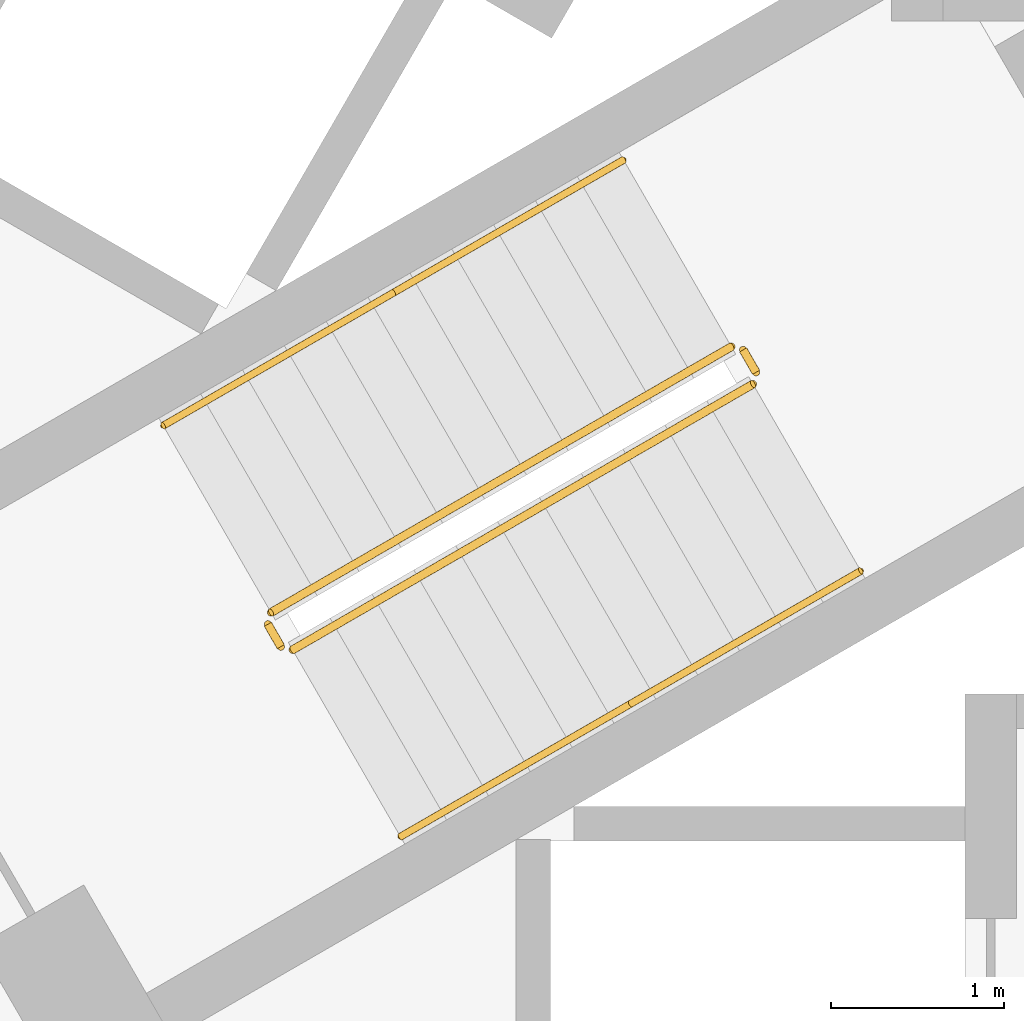
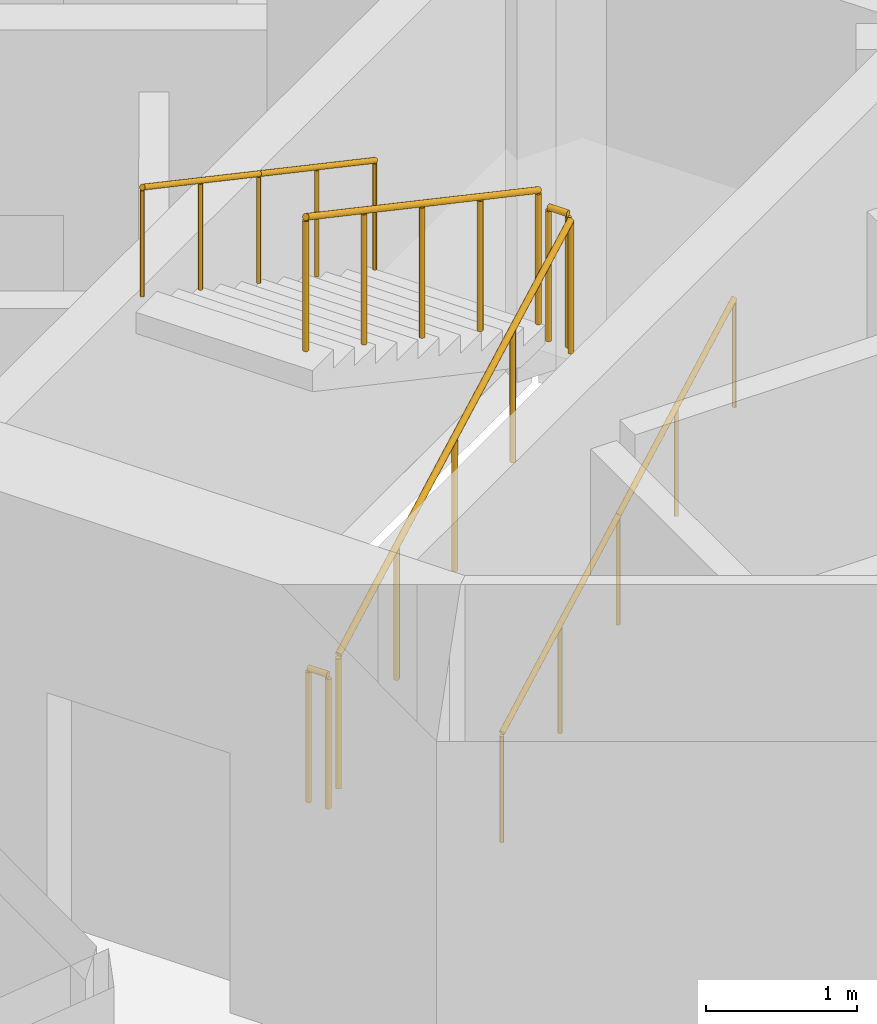
# One storey, part 11 of 15: 8 railings.
"""IFC4 building model written with IfcOpenShell, lengths in metres."""

from ifc_helpers import new_model, si_unit, direction, frame, origin, origin_2d, place, context, subcontext, project, spatial, circle, extrude, material, type_object, element, save


model = new_model("IFC4")

# Units and contexts
model_context = context("Model", 3, precision=1e-05, world=origin(), true_north=direction((0.0, 1.0)))
body_context = subcontext(model_context, "Body", "Model", "MODEL_VIEW")
ifc_project = project(units=[si_unit("LENGTHUNIT", "METRE"), si_unit("AREAUNIT", "SQUARE_METRE"), si_unit("VOLUMEUNIT", "CUBIC_METRE"), si_unit("PLANEANGLEUNIT", "RADIAN"), si_unit("MASSUNIT", "GRAM", prefix="KILO")], contexts=[model_context])

# Site, building, storey
site_placement = place(None, origin())
site = spatial("IfcSite", under=ifc_project, at=site_placement, CompositionType="ELEMENT")
building_placement = place(site_placement, origin())
building = spatial("IfcBuilding", under=site, at=building_placement, Name="Trine Commons Tower", CompositionType="ELEMENT")
storey_placement = place(building_placement, frame((0.0, 0.0, 263.699951171875)))
storey = spatial("IfcBuildingStorey", under=building, at=storey_placement, Name="L69", CompositionType="ELEMENT", Elevation=263.699951171875)

# Railings
ifc_material_1 = material(Name="Stainless steel balustrade", Category="steel")
railing_type_1 = type_object("IfcRailingType", Name="Stair guard, steel balustrade 1100", PredefinedType="GUARDRAIL", material=ifc_material_1)
railing_1_placement = place(storey_placement, frame((74.80517578125, 59.3564453125, 0.150146484375)))
element("IfcRailing", 1, at=railing_1_placement, inside=storey, type_object=railing_type_1, Name="L69 ST2C stair guard 1", PredefinedType="GUARDRAIL", context=body_context, shape_type="SweptSolid", body=[
    extrude(circle(Radius=0.02392578125, at=origin_2d()), frame((0.0, 0.0, 1.076171875), z_axis=(0.76340495495, 0.440743040072, 0.472184759798), x_axis=(-0.499992328818, 0.866029832698, 0.0)), (0.0, 0.0, 1.0), 3.494140625),
    extrude(circle(Radius=0.02099609375, at=origin_2d()), origin(), (0.0, 0.0, 1.0), 1.052001953125),
    extrude(circle(Radius=0.02099609375, at=origin_2d()), frame((0.6669921875, 0.385009765625, 0.41259765625)), (0.0, 0.0, 1.0), 1.052001953125),
    extrude(circle(Radius=0.02099609375, at=origin_2d()), frame((1.333740234375, 0.77001953125, 0.824951171875)), (0.0, 0.0, 1.0), 1.052001953125),
    extrude(circle(Radius=0.02099609375, at=origin_2d()), frame((2.00048828125, 1.155029296875, 1.2373046875)), (0.0, 0.0, 1.0), 1.052001953125),
    extrude(circle(Radius=0.02099609375, at=origin_2d()), frame((2.66748046875, 1.5400390625, 1.64990234375)), (0.0, 0.0, 1.0), 1.052001953125),
])
railing_2_placement = place(storey_placement, frame((77.490966796875, 60.96484375, 1.800048828125)))
element("IfcRailing", 2, at=railing_2_placement, inside=storey, type_object=railing_type_1, Name="L69 ST2C stair guard 2", PredefinedType="GUARDRAIL", context=body_context, shape_type="SweptSolid", body=[
    extrude(circle(Radius=0.02392578125, at=origin_2d()), frame((0.0, 0.0, 1.076171875), z_axis=(-0.501036270542, 0.865426285481, 0.0), x_axis=(-0.865426285481, -0.501036270542, 0.0)), (0.0, 0.0, 1.0), 0.150146484375),
    extrude(circle(Radius=0.02099609375, at=origin_2d()), origin(), (0.0, 0.0, 1.0), 1.052001953125),
    extrude(circle(Radius=0.02099609375, at=origin_2d()), frame((-0.0751953125, 0.1298828125, 0.0)), (0.0, 0.0, 1.0), 1.052001953125),
])
railing_3_placement = place(storey_placement, frame((77.34765625, 61.113037109375, 1.949951171875)))
element("IfcRailing", 3, at=railing_3_placement, inside=storey, type_object=railing_type_1, Name="L69 ST2C stair guard 3", PredefinedType="GUARDRAIL", context=body_context, shape_type="SweptSolid", body=[
    extrude(circle(Radius=0.02392578125, at=origin_2d()), frame((0.0, 0.0, 1.076171875), z_axis=(-0.763379768245, -0.440728498818, 0.472239049384), x_axis=(0.499992328818, -0.866029832698, 0.0)), (0.0, 0.0, 1.0), 3.494384765625),
    extrude(circle(Radius=0.02099609375, at=origin_2d()), origin(), (0.0, 0.0, 1.0), 1.052001953125),
    extrude(circle(Radius=0.02099609375, at=origin_2d()), frame((-0.6669921875, -0.385009765625, 0.41259765625)), (0.0, 0.0, 1.0), 1.052001953125),
    extrude(circle(Radius=0.02099609375, at=origin_2d()), frame((-1.333740234375, -0.77001953125, 0.8251953125)), (0.0, 0.0, 1.0), 1.052001953125),
    extrude(circle(Radius=0.02099609375, at=origin_2d()), frame((-2.00048828125, -1.155029296875, 1.237548828125)), (0.0, 0.0, 1.0), 1.052001953125),
    extrude(circle(Radius=0.02099609375, at=origin_2d()), frame((-2.66748046875, -1.5400390625, 1.650146484375)), (0.0, 0.0, 1.0), 1.052001953125),
])
railing_4_placement = place(storey_placement, frame((74.73681640625, 59.374755859375, 0.0)))
element("IfcRailing", 4, at=railing_4_placement, inside=storey, type_object=railing_type_1, Name="L69 ST2C stair guard 4", PredefinedType="GUARDRAIL", context=body_context, shape_type="SweptSolid", body=[
    extrude(circle(Radius=0.02392578125, at=origin_2d()), frame((0.0, 0.0, 1.076171875), z_axis=(-0.499816412211, 0.866131372301, 0.0), x_axis=(-0.866131372301, -0.499816412211, 0.0)), (0.0, 0.0, 1.0), 0.14990234375),
    extrude(circle(Radius=0.02099609375, at=origin_2d()), origin(), (0.0, 0.0, 1.0), 1.052001953125),
    extrude(circle(Radius=0.02099609375, at=origin_2d()), frame((-0.074951171875, 0.1298828125, 0.0)), (0.0, 0.0, 1.0), 1.052001953125),
])
ifc_material_2 = material(Name="Stainless steel handrail", Category="steel")
railing_type_2 = type_object("IfcRailingType", Name="Stair handrail, steel 900", PredefinedType="HANDRAIL", material=ifc_material_2)
for number, where, name in (
    (5, (75.43017578125, 58.27392578125, 0.150146484375), "L69 ST2C stair handrail 1"),
    (6, (76.763916015625, 59.0439453125, 0.97509765625), "L69 ST2C stair handrail 2"),
):
    element("IfcRailing", number, at=place(storey_placement, frame(where)), inside=storey, type_object=railing_type_2, Name=name, PredefinedType="HANDRAIL", context=body_context, shape_type="SweptSolid", body=[
        extrude(circle(Radius=0.02099609375, at=origin_2d()), frame((0.0, 0.0, 0.87890625), z_axis=(0.76340495495, 0.440743040072, 0.472184759798), x_axis=(-0.499992328818, 0.866029832698, 0.0)), (0.0, 0.0, 1.0), 1.7470703125),
        extrude(circle(Radius=0.01513671875, at=origin_2d()), origin(), (0.0, 0.0, 1.0), 0.85791015625),
        extrude(circle(Radius=0.01513671875, at=origin_2d()), frame((0.6669921875, 0.385009765625, 0.41259765625)), (0.0, 0.0, 1.0), 0.85791015625),
        extrude(circle(Radius=0.01513671875, at=origin_2d()), frame((1.333740234375, 0.77001953125, 0.824951171875)), (0.0, 0.0, 1.0), 0.85791015625),
    ])
railing_5_placement = place(storey_placement, frame((76.72265625, 62.195556640625, 1.949951171875)))
element("IfcRailing", 7, at=railing_5_placement, inside=storey, type_object=railing_type_2, Name="L69 ST2C stair handrail 3", PredefinedType="HANDRAIL", context=body_context, shape_type="SweptSolid", body=[
    extrude(circle(Radius=0.02099609375, at=origin_2d()), frame((0.0, 0.0, 0.87890625), z_axis=(-0.763354580307, -0.440713956853, 0.472293333596), x_axis=(0.499992328818, -0.866029832698, 0.0)), (0.0, 0.0, 1.0), 1.747314453125),
    extrude(circle(Radius=0.01513671875, at=origin_2d()), origin(), (0.0, 0.0, 1.0), 0.85791015625),
    extrude(circle(Radius=0.01513671875, at=origin_2d()), frame((-0.6669921875, -0.385009765625, 0.41259765625)), (0.0, 0.0, 1.0), 0.85791015625),
    extrude(circle(Radius=0.01513671875, at=origin_2d()), frame((-1.333740234375, -0.77001953125, 0.8251953125)), (0.0, 0.0, 1.0), 0.85791015625),
])
railing_6_placement = place(storey_placement, frame((75.388916015625, 61.425537109375, 2.775146484375)))
element("IfcRailing", 8, at=railing_6_placement, inside=storey, type_object=railing_type_2, Name="L69 ST2C stair handrail 4", PredefinedType="HANDRAIL", context=body_context, shape_type="SweptSolid", body=[
    extrude(circle(Radius=0.02099609375, at=origin_2d()), frame((0.0, 0.0, 0.87890625), z_axis=(-0.76340495495, -0.440743040072, 0.472184759798), x_axis=(0.499992328818, -0.866029832698, 0.0)), (0.0, 0.0, 1.0), 1.7470703125),
    extrude(circle(Radius=0.01513671875, at=origin_2d()), origin(), (0.0, 0.0, 1.0), 0.85791015625),
    extrude(circle(Radius=0.01513671875, at=origin_2d()), frame((-0.6669921875, -0.385009765625, 0.41259765625)), (0.0, 0.0, 1.0), 0.85791015625),
    extrude(circle(Radius=0.01513671875, at=origin_2d()), frame((-1.333740234375, -0.77001953125, 0.824951171875)), (0.0, 0.0, 1.0), 0.85791015625),
])

save(model, "model.ifc")
